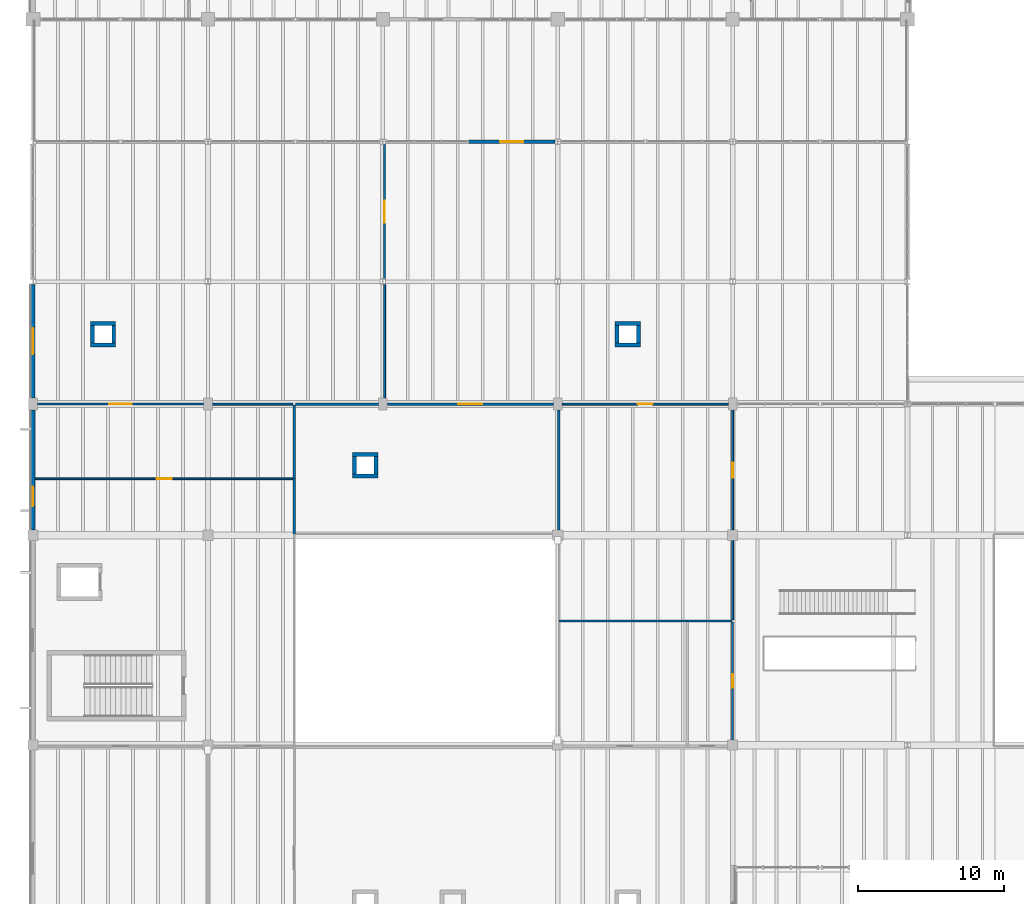
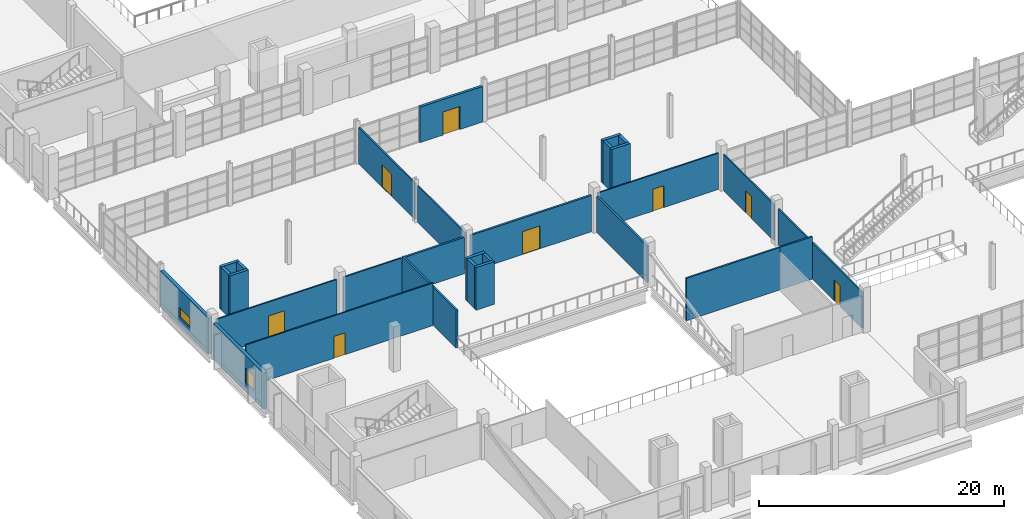
# One storey, part 89 of 114: 31 walls, 8 doors, 2 windows, 10 openings.
"""IFC4 building model written with IfcOpenShell, lengths in metres."""

from ifc_helpers import new_model, si_unit, direction, frame, frame_2d, origin, place, context, subcontext, project, spatial, rectangle, extrude, material, layer, layer_set, type_object, element, fill, save


model = new_model("IFC4")

# Units and contexts
model_context = context("Model", 3, precision=1e-05, world=origin(), true_north=direction((0.0, 1.0)))
body_context = subcontext(model_context, "Body", "Model", "MODEL_VIEW")
ifc_project = project(units=[si_unit("LENGTHUNIT", "METRE"), si_unit("AREAUNIT", "SQUARE_METRE"), si_unit("VOLUMEUNIT", "CUBIC_METRE"), si_unit("PLANEANGLEUNIT", "RADIAN"), si_unit("MASSUNIT", "GRAM", prefix="KILO")], contexts=[model_context])

# Site, building, storey
site_placement = place(None, origin())
site = spatial("IfcSite", under=ifc_project, at=site_placement, CompositionType="ELEMENT")
building_placement = place(site_placement, origin())
building = spatial("IfcBuilding", under=site, at=building_placement, Name="Kelmvaro Bay Concert Hall", CompositionType="ELEMENT")
storey_placement = place(building_placement, frame((0.0, 0.0, 4.800048828125)))
storey = spatial("IfcBuildingStorey", under=building, at=storey_placement, Name="L01", CompositionType="ELEMENT", Elevation=4.800048828125)

# Wall, opening, door
ifc_material_1 = material(Name="Acoustic Gypsum Board on Galvanised Steel Studs", Category="steel")
ifc_layer_1 = layer(ifc_material_1, 0.1298828125)
ifc_layer_set_1 = layer_set([ifc_layer_1], Name="Acoustic Gypsum Board on Galvanised Steel Studs")
wall_type_1 = type_object("IfcWallType", Name="Classroom Acoustic Partition 130", PredefinedType="PARTITIONING", material=ifc_layer_set_1)
wall_1_placement = place(storey_placement, frame((0.159912109375, 33.8798828125, 0.0), z_axis=(0.0, 0.0, 1.0), x_axis=(1.0, 0.0, 0.0)))
wall_1 = element("IfcWall", 1, at=wall_1_placement, inside=storey, type_object=wall_type_1, Name="L01 Interior Partition PT-L01-0166", PredefinedType="PARTITIONING", context=body_context, shape_type="SweptSolid", body=[
    extrude(rectangle(XDim=17.66015625, YDim=0.1298828125, at=frame_2d((8.830078125, 0.0))), origin(), (0.0, 0.0, 1.0), 4.22998046875),
])
opening_1_placement = place(wall_1_placement, frame((8.31494140625, 0.0, 0.0)))
opening_1 = element("IfcOpeningElement", 2, at=opening_1_placement, cuts=wall_1, Name="Opening ID-ED1", PredefinedType="OPENING", context=body_context, shape_type="SweptSolid", body=[
    extrude(rectangle(XDim=1.030029296875, YDim=2.179931640625, at=frame_2d((0.51513671875, 1.08984375))), frame((0.0, 0.074951171875, 0.0), z_axis=(0.0, -1.0, 0.0), x_axis=(1.0, 0.0, 0.0)), (0.0, 0.0, 1.0), 0.14990234375),
])
ifc_material_2 = material(Name="Oak Veneer and Acoustic Glass", Category="glass")
door_type_1 = type_object("IfcDoorType", Name="Classroom Vision-Lite Door 1030x2180", OperationType="NOTDEFINED", PredefinedType="DOOR", material=ifc_material_2)
door_1_placement = place(opening_1_placement, origin())
door_1 = element("IfcDoor", 3, at=door_1_placement, inside=storey, type_object=door_type_1, Name="L01 Interior Door DR-INT-L01-0102", OperationType="SINGLE_SWING_RIGHT", OverallHeight=2.179931640625, OverallWidth=1.030029296875, PredefinedType="DOOR", context=body_context, shape_type="SweptSolid", body=[
    extrude(rectangle(XDim=1.030029296875, YDim=2.179931640625, at=frame_2d((0.51513671875, 1.08984375))), frame((0.0, 0.02490234375, 0.0), z_axis=(0.0, -1.0, 0.0), x_axis=(1.0, 0.0, 0.0)), (0.0, 0.0, 1.0), 0.050048828125),
])
fill(opening_1, door_1)

wall_2_placement = place(storey_placement, frame((0.30810546875, 39.0, 0.0), z_axis=(0.0, 0.0, 1.0), x_axis=(1.0, 0.0, 0.0)))
wall_2 = element("IfcWall", 4, at=wall_2_placement, inside=storey, type_object=wall_type_1, Name="L01 Interior Partition PT-L01-0168", PredefinedType="PARTITIONING", context=body_context, shape_type="SweptSolid", body=[
    extrude(rectangle(XDim=11.3837890625, YDim=0.1298828125, at=frame_2d((5.69189453125, 0.0))), origin(), (0.0, 0.0, 1.0), 3.623046875),
])
opening_2_placement = place(wall_2_placement, frame((4.931884765625, 0.0, 0.0)))
opening_2 = element("IfcOpeningElement", 5, at=opening_2_placement, cuts=wall_2, Name="Opening ID-ED2", PredefinedType="OPENING", context=body_context, shape_type="SweptSolid", body=[
    extrude(rectangle(XDim=1.52001953125, YDim=2.239990234375, at=frame_2d((0.760009765625, 1.1201171875))), frame((0.0, 0.074951171875, 0.0), z_axis=(0.0, -1.0, 0.0), x_axis=(1.0, 0.0, 0.0)), (0.0, 0.0, 1.0), 0.14990234375),
])
ifc_material_3 = material(Name="Oak Veneer and Acoustic Glass", Category="glass")
door_type_2 = type_object("IfcDoorType", Name="Archive Library Double Door 1520x2240", OperationType="NOTDEFINED", PredefinedType="DOOR", material=ifc_material_3)
door_2_placement = place(opening_2_placement, origin())
door_2 = element("IfcDoor", 6, at=door_2_placement, inside=storey, type_object=door_type_2, Name="L01 Interior Door DR-INT-L01-0103", OperationType="DOUBLE_DOOR_SINGLE_SWING", OverallHeight=2.239990234375, OverallWidth=1.52001953125, PredefinedType="DOOR", context=body_context, shape_type="SweptSolid", body=[
    extrude(rectangle(XDim=1.52001953125, YDim=2.239990234375, at=frame_2d((0.760009765625, 1.1201171875))), frame((0.0, 0.02490234375, 0.0), z_axis=(0.0, -1.0, 0.0), x_axis=(1.0, 0.0, 0.0)), (0.0, 0.0, 1.0), 0.050048828125),
])
fill(opening_2, door_2)

# Walls
wall_3_placement = place(storey_placement, frame((12.30810546875, 39.0, 0.0), z_axis=(0.0, 0.0, 1.0), x_axis=(1.0, 0.0, 0.0)))
element("IfcWall", 7, at=wall_3_placement, inside=storey, type_object=wall_type_1, Name="L01 Interior Partition PT-L01-0169", PredefinedType="PARTITIONING", context=body_context, shape_type="SweptSolid", body=[
    extrude(rectangle(XDim=5.511962890625, YDim=0.1298828125, at=frame_2d((2.755859375, 0.0))), origin(), (0.0, 0.0, 1.0), 3.623046875),
])
wall_4_placement = place(storey_placement, frame((48.0, 24.205078125, 0.0), z_axis=(0.0, 0.0, 1.0), x_axis=(0.0, 1.0, 0.0)))
element("IfcWall", 8, at=wall_4_placement, inside=storey, type_object=wall_type_1, Name="L01 Interior Partition PT-L01-0172", PredefinedType="PARTITIONING", context=body_context, shape_type="SweptSolid", body=[
    extrude(rectangle(XDim=5.43701171875, YDim=0.1298828125, at=frame_2d((2.718505859375, 0.0))), origin(), (0.0, 0.0, 1.0), 3.618896484375),
])

# Wall, opening, door
wall_5_placement = place(storey_placement, frame((48.0, 30.35791015625, 0.0), z_axis=(0.0, 0.0, 1.0), x_axis=(0.0, 1.0, 0.0)))
wall_5 = element("IfcWall", 9, at=wall_5_placement, inside=storey, type_object=wall_type_1, Name="L01 Interior Partition PT-L01-0173", PredefinedType="PARTITIONING", context=body_context, shape_type="SweptSolid", body=[
    extrude(rectangle(XDim=8.234130859375, YDim=0.1298828125, at=frame_2d((4.1171875, 0.0))), origin(), (0.0, 0.0, 1.0), 3.618896484375),
])
opening_3_placement = place(wall_5_placement, frame((3.60205078125, 0.0, 0.0)))
opening_3 = element("IfcOpeningElement", 10, at=opening_3_placement, cuts=wall_5, Name="Opening ID-ED1", PredefinedType="OPENING", context=body_context, shape_type="SweptSolid", body=[
    extrude(rectangle(XDim=1.030029296875, YDim=2.179931640625, at=frame_2d((0.51513671875, 1.08984375))), frame((0.0, 0.074951171875, 0.0), z_axis=(0.0, -1.0, 0.0), x_axis=(1.0, 0.0, 0.0)), (0.0, 0.0, 1.0), 0.14990234375),
])
door_3_placement = place(opening_3_placement, origin())
door_3 = element("IfcDoor", 11, at=door_3_placement, inside=storey, type_object=door_type_1, Name="L01 Interior Door DR-INT-L01-0104", OperationType="SINGLE_SWING_RIGHT", OverallHeight=2.179931640625, OverallWidth=1.030029296875, PredefinedType="DOOR", context=body_context, shape_type="SweptSolid", body=[
    extrude(rectangle(XDim=1.030029296875, YDim=2.179931640625, at=frame_2d((0.51513671875, 1.08984375))), frame((0.0, 0.02490234375, 0.0), z_axis=(0.0, -1.0, 0.0), x_axis=(1.0, 0.0, 0.0)), (0.0, 0.0, 1.0), 0.050048828125),
])
fill(opening_3, door_3)

wall_6_placement = place(storey_placement, frame((36.30810546875, 39.0, 0.0), z_axis=(0.0, 0.0, 1.0), x_axis=(1.0, 0.0, 0.0)))
wall_6 = element("IfcWall", 12, at=wall_6_placement, inside=storey, type_object=wall_type_1, Name="L01 Interior Partition PT-L01-0174", PredefinedType="PARTITIONING", context=body_context, shape_type="SweptSolid", body=[
    extrude(rectangle(XDim=11.3837890625, YDim=0.1298828125, at=frame_2d((5.69189453125, 0.0))), origin(), (0.0, 0.0, 1.0), 3.623046875),
])
opening_4_placement = place(wall_6_placement, frame((5.177001953125, 0.0, 0.0)))
opening_4 = element("IfcOpeningElement", 13, at=opening_4_placement, cuts=wall_6, Name="Opening ID-ED1", PredefinedType="OPENING", context=body_context, shape_type="SweptSolid", body=[
    extrude(rectangle(XDim=1.030029296875, YDim=2.179931640625, at=frame_2d((0.51513671875, 1.08984375))), frame((0.0, 0.074951171875, 0.0), z_axis=(0.0, -1.0, 0.0), x_axis=(1.0, 0.0, 0.0)), (0.0, 0.0, 1.0), 0.14990234375),
])
door_4_placement = place(opening_4_placement, origin())
door_4 = element("IfcDoor", 14, at=door_4_placement, inside=storey, type_object=door_type_1, Name="L01 Interior Door DR-INT-L01-0105", OperationType="SINGLE_SWING_LEFT", OverallHeight=2.179931640625, OverallWidth=1.030029296875, PredefinedType="DOOR", context=body_context, shape_type="SweptSolid", body=[
    extrude(rectangle(XDim=1.030029296875, YDim=2.179931640625, at=frame_2d((0.51513671875, 1.08984375))), frame((0.0, 0.02490234375, 0.0), z_axis=(0.0, -1.0, 0.0), x_axis=(1.0, 0.0, 0.0)), (0.0, 0.0, 1.0), 0.050048828125),
])
fill(opening_4, door_4)

# Wall
wall_7_placement = place(storey_placement, frame((24.1201171875, 39.407958984375, 0.0), z_axis=(0.0, 0.0, 1.0), x_axis=(0.0, 1.0, 0.0)))
element("IfcWall", 15, at=wall_7_placement, inside=storey, type_object=wall_type_1, Name="L01 Interior Partition PT-L01-0203", PredefinedType="PARTITIONING", context=body_context, shape_type="SweptSolid", body=[
    extrude(rectangle(XDim=7.797607421875, YDim=0.1298828125, at=frame_2d((3.89892578125, 0.0))), origin(), (0.0, 0.0, 1.0), 3.6279296875),
])

# Wall, opening, door
wall_8_placement = place(storey_placement, frame((24.1201171875, 47.594482421875, 0.0), z_axis=(0.0, 0.0, 1.0), x_axis=(0.0, 1.0, 0.0)))
wall_8 = element("IfcWall", 16, at=wall_8_placement, inside=storey, type_object=wall_type_1, Name="L01 Interior Partition PT-L01-0204", PredefinedType="PARTITIONING", context=body_context, shape_type="SweptSolid", body=[
    extrude(rectangle(XDim=9.2109375, YDim=0.1298828125, at=frame_2d((4.60546875, 0.0))), origin(), (0.0, 0.0, 1.0), 3.62890625),
])
opening_5_placement = place(wall_8_placement, frame((3.845458984375, 0.0, 0.0)))
opening_5 = element("IfcOpeningElement", 17, at=opening_5_placement, cuts=wall_8, Name="Opening ID-ED2", PredefinedType="OPENING", context=body_context, shape_type="SweptSolid", body=[
    extrude(rectangle(XDim=1.52001953125, YDim=2.239990234375, at=frame_2d((0.760009765625, 1.1201171875))), frame((0.0, 0.074951171875, 0.0), z_axis=(0.0, -1.0, 0.0), x_axis=(1.0, 0.0, 0.0)), (0.0, 0.0, 1.0), 0.14990234375),
])
door_5_placement = place(opening_5_placement, origin())
door_5 = element("IfcDoor", 18, at=door_5_placement, inside=storey, type_object=door_type_2, Name="L01 Interior Door DR-INT-L01-0123", OperationType="DOUBLE_DOOR_SINGLE_SWING", OverallHeight=2.239990234375, OverallWidth=1.52001953125, PredefinedType="DOOR", context=body_context, shape_type="SweptSolid", body=[
    extrude(rectangle(XDim=1.52001953125, YDim=2.239990234375, at=frame_2d((0.760009765625, 1.1201171875))), frame((0.0, 0.02490234375, 0.0), z_axis=(0.0, -1.0, 0.0), x_axis=(1.0, 0.0, 0.0)), (0.0, 0.0, 1.0), 0.050048828125),
])
fill(opening_5, door_5)

# Wall, opening, window
ifc_material_4 = material(Name="Precast Concrete C40/50", Category="concrete")
ifc_layer_2 = layer(ifc_material_4, 0.300048828125)
ifc_layer_set_2 = layer_set([ifc_layer_2], Name="Precast Concrete C40/50")
wall_type_2 = type_object("IfcWallType", Name="Education Pavilion Precast Wall 300", PredefinedType="SOLIDWALL", material=ifc_layer_set_2)
wall_9_placement = place(storey_placement, frame((0.0, 30.35009765625, 0.0), z_axis=(0.0, 0.0, 1.0), x_axis=(0.0, 1.0, 0.0)))
wall_9 = element("IfcWall", 19, at=wall_9_placement, inside=storey, type_object=wall_type_2, Name="L01 Exterior Wall EW-L01-0177", PredefinedType="SOLIDWALL", context=body_context, shape_type="SweptSolid", body=[
    extrude(rectangle(XDim=8.25, YDim=0.300048828125, at=frame_2d((4.125, 0.0))), origin(), (0.0, 0.0, 1.0), 3.618896484375),
])
opening_6_placement = place(wall_9_placement, frame((1.635009765625, 0.0, 0.85009765625)))
opening_6 = element("IfcOpeningElement", 20, at=opening_6_placement, cuts=wall_9, Name="Opening WN-05", PredefinedType="OPENING", context=body_context, shape_type="SweptSolid", body=[
    extrude(rectangle(XDim=1.35009765625, YDim=1.5, at=frame_2d((0.675048828125, 0.75))), frame((0.0, 0.159912109375, 0.0), z_axis=(0.0, -1.0, 0.0), x_axis=(1.0, 0.0, 0.0)), (0.0, 0.0, 1.0), 0.320068359375),
])
ifc_material_5 = material(Name="Thermally Broken Aluminium and Acoustic Low-E Glass", Category="aluminium")
window_type_1 = type_object("IfcWindowType", Name="Dressing Suite Daylight Window 1350x1500", PartitioningType="SINGLE_PANEL", PredefinedType="WINDOW", material=ifc_material_5)
window_1_placement = place(opening_6_placement, origin())
window_1 = element("IfcWindow", 21, at=window_1_placement, inside=storey, type_object=window_type_1, Name="L01 Facade Window WN-L01-0086", OverallHeight=1.5, OverallWidth=1.35009765625, PartitioningType="SINGLE_PANEL", PredefinedType="WINDOW", context=body_context, shape_type="SweptSolid", body=[
    extrude(rectangle(XDim=1.35009765625, YDim=1.5, at=frame_2d((0.675048828125, 0.75))), frame((0.0, 0.030029296875, 0.0), z_axis=(0.0, -1.0, 0.0), x_axis=(1.0, 0.0, 0.0)), (0.0, 0.0, 1.0), 0.06005859375),
])
fill(opening_6, window_1)

wall_10_placement = place(storey_placement, frame((0.0, 39.39990234375, 0.0), z_axis=(0.0, 0.0, 1.0), x_axis=(0.0, 1.0, 0.0)))
wall_10 = element("IfcWall", 22, at=wall_10_placement, inside=storey, type_object=wall_type_2, Name="L01 Exterior Wall EW-L01-0281", PredefinedType="SOLIDWALL", context=body_context, shape_type="SweptSolid", body=[
    extrude(rectangle(XDim=7.8134765625, YDim=0.300048828125, at=frame_2d((3.90673828125, 0.0))), origin(), (0.0, 0.0, 1.0), 3.6279296875),
])
opening_7_placement = place(wall_10_placement, frame((3.0068359375, 0.0, 0.85009765625)))
opening_7 = element("IfcOpeningElement", 23, at=opening_7_placement, cuts=wall_10, Name="Opening WN-10", PredefinedType="OPENING", context=body_context, shape_type="SweptSolid", body=[
    extrude(rectangle(XDim=1.800048828125, YDim=0.949951171875, at=frame_2d((0.89990234375, 0.47509765625))), frame((0.0, 0.159912109375, 0.0), z_axis=(0.0, -1.0, 0.0), x_axis=(1.0, 0.0, 0.0)), (0.0, 0.0, 1.0), 0.320068359375),
])
ifc_material_6 = material(Name="Thermally Broken Aluminium and Acoustic Low-E Glass", Category="aluminium")
window_type_2 = type_object("IfcWindowType", Name="Archive Clerestory Window 1800x950", PartitioningType="SINGLE_PANEL", PredefinedType="WINDOW", material=ifc_material_6)
window_2_placement = place(opening_7_placement, origin())
window_2 = element("IfcWindow", 24, at=window_2_placement, inside=storey, type_object=window_type_2, Name="L01 Facade Window WN-L01-0143", OverallHeight=0.949951171875, OverallWidth=1.800048828125, PartitioningType="SINGLE_PANEL", PredefinedType="WINDOW", context=body_context, shape_type="SweptSolid", body=[
    extrude(rectangle(XDim=1.800048828125, YDim=0.949951171875, at=frame_2d((0.89990234375, 0.47509765625))), frame((0.0, 0.030029296875, 0.0), z_axis=(0.0, -1.0, 0.0), x_axis=(1.0, 0.0, 0.0)), (0.0, 0.0, 1.0), 0.06005859375),
])
fill(opening_7, window_2)

# Walls
ifc_material_7 = material(Name="Acoustic Gypsum Board on Galvanised Steel Studs", Category="steel")
ifc_layer_3 = layer(ifc_material_7, 0.179931640625)
ifc_layer_set_3 = layer_set([ifc_layer_3], Name="Acoustic Gypsum Board on Galvanised Steel Studs")
wall_type_3 = type_object("IfcWallType", Name="Rehearsal Suite Acoustic Partition 180", PredefinedType="PARTITIONING", material=ifc_layer_set_3)
wall_11_placement = place(storey_placement, frame((17.919921875, 30.074951171875, 0.0), z_axis=(0.0, 0.0, 1.0), x_axis=(0.0, 1.0, 0.0)))
element("IfcWall", 25, at=wall_11_placement, inside=storey, type_object=wall_type_3, Name="L01 Interior Partition PT-L01-0159", PredefinedType="PARTITIONING", context=body_context, shape_type="SweptSolid", body=[
    extrude(rectangle(XDim=3.81005859375, YDim=0.179931640625, at=frame_2d((1.905029296875, 0.0))), origin(), (0.0, 0.0, 1.0), 3.77294921875),
])
wall_12_placement = place(storey_placement, frame((17.919921875, 33.875, 0.0), z_axis=(0.0, 0.0, 1.0), x_axis=(0.0, 1.0, 0.0)))
element("IfcWall", 26, at=wall_12_placement, inside=storey, type_object=wall_type_3, Name="L01 Interior Partition PT-L01-0160", PredefinedType="PARTITIONING", context=body_context, shape_type="SweptSolid", body=[
    extrude(rectangle(XDim=5.074951171875, YDim=0.179931640625, at=frame_2d((2.53759765625, 0.0))), origin(), (0.0, 0.0, 1.0), 3.77294921875),
])
wall_13_placement = place(storey_placement, frame((36.080078125, 30.35791015625, 0.0), z_axis=(0.0, 0.0, 1.0), x_axis=(0.0, 1.0, 0.0)))
element("IfcWall", 27, at=wall_13_placement, inside=storey, type_object=wall_type_3, Name="L01 Interior Partition PT-L01-0161", PredefinedType="PARTITIONING", context=body_context, shape_type="SweptSolid", body=[
    extrude(rectangle(XDim=8.234130859375, YDim=0.179931640625, at=frame_2d((4.1171875, 0.0))), origin(), (0.0, 0.0, 1.0), 3.618896484375),
])

# Wall, opening, door
wall_14_placement = place(storey_placement, frame((24.30810546875, 39.0, 0.0), z_axis=(0.0, 0.0, 1.0), x_axis=(1.0, 0.0, 0.0)))
wall_14 = element("IfcWall", 28, at=wall_14_placement, inside=storey, type_object=wall_type_3, Name="L01 Interior Partition PT-L01-0162", PredefinedType="PARTITIONING", context=body_context, shape_type="SweptSolid", body=[
    extrude(rectangle(XDim=11.3837890625, YDim=0.179931640625, at=frame_2d((5.69189453125, 0.0))), origin(), (0.0, 0.0, 1.0), 3.623046875),
])
opening_8_placement = place(wall_14_placement, frame((4.882080078125, 0.0, 0.0)))
opening_8 = element("IfcOpeningElement", 29, at=opening_8_placement, cuts=wall_14, Name="Opening ID-AC3", PredefinedType="OPENING", context=body_context, shape_type="SweptSolid", body=[
    extrude(rectangle(XDim=1.6201171875, YDim=2.280029296875, at=frame_2d((0.81005859375, 1.14013671875))), frame((0.0, 0.099853515625, 0.0), z_axis=(0.0, -1.0, 0.0), x_axis=(1.0, 0.0, 0.0)), (0.0, 0.0, 1.0), 0.199951171875),
])
ifc_material_8 = material(Name="Solid White Oak Acoustic Leaf")
door_type_3 = type_object("IfcDoorType", Name="Choral Studio Acoustic Pair Door 1620x2280", OperationType="NOTDEFINED", PredefinedType="DOOR", material=ifc_material_8)
door_6_placement = place(opening_8_placement, origin())
door_6 = element("IfcDoor", 30, at=door_6_placement, inside=storey, type_object=door_type_3, Name="L01 Interior Door DR-INT-L01-0099", OperationType="DOUBLE_DOOR_SINGLE_SWING", OverallHeight=2.280029296875, OverallWidth=1.6201171875, PredefinedType="DOOR", context=body_context, shape_type="SweptSolid", body=[
    extrude(rectangle(XDim=1.6201171875, YDim=2.280029296875, at=frame_2d((0.81005859375, 1.14013671875))), frame((0.0, 0.02490234375, 0.0), z_axis=(0.0, -1.0, 0.0), x_axis=(1.0, 0.0, 0.0)), (0.0, 0.0, 1.0), 0.050048828125),
])
fill(opening_8, door_6)

# Walls
wall_15_placement = place(storey_placement, frame((18.02001953125, 39.0, 0.0), z_axis=(0.0, 0.0, 1.0), x_axis=(1.0, 0.0, 0.0)))
element("IfcWall", 31, at=wall_15_placement, inside=storey, type_object=wall_type_3, Name="L01 Interior Partition PT-L01-0163", PredefinedType="PARTITIONING", context=body_context, shape_type="SweptSolid", body=[
    extrude(rectangle(XDim=5.671875, YDim=0.179931640625, at=frame_2d((2.8359375, 0.0))), origin(), (0.0, 0.0, 1.0), 3.623046875),
])
ifc_material_9 = material(Name="Concrete C40/50", Category="concrete")
ifc_layer_4 = layer(ifc_material_9, 0.27001953125)
ifc_layer_set_4 = layer_set([ifc_layer_4], Name="Concrete C40/50")
wall_type_4 = type_object("IfcWallType", Name="Secondary Shaft Shear Wall 270", PredefinedType="SHEAR", material=ifc_layer_set_4)
for number, where, z_axis, x_axis, name in (
    (32, (21.929931640625, 34.06494140625, 0.0), (0.0, 0.0, 1.0), (1.0, 0.0, 0.0), "L01 Service Riser Shaft Wall 073-S"),
    (33, (21.929931640625, 35.534912109375, 0.0), (0.0, 0.0, 1.0), (1.0, 0.0, 0.0), "L01 Service Riser Shaft Wall 074-N"),
):
    element("IfcWall", number, at=place(storey_placement, frame(where, z_axis=z_axis, x_axis=x_axis)), inside=storey, type_object=wall_type_4, Name=name, PredefinedType="SHEAR", context=body_context, shape_type="SweptSolid", body=[
        extrude(rectangle(XDim=1.739990234375, YDim=0.27001953125, at=frame_2d((0.8701171875, 0.0))), origin(), (0.0, 0.0, 1.0), 4.25),
    ])
for number, where, z_axis, x_axis, name in (
    (34, (22.06494140625, 34.199951171875, 0.0), (0.0, 0.0, 1.0), (0.0, 1.0, 0.0), "L01 Service Riser Shaft Wall 075-W"),
    (35, (23.534912109375, 34.199951171875, 0.0), (0.0, 0.0, 1.0), (0.0, 1.0, 0.0), "L01 Service Riser Shaft Wall 076-E"),
):
    element("IfcWall", number, at=place(storey_placement, frame(where, z_axis=z_axis, x_axis=x_axis)), inside=storey, type_object=wall_type_4, Name=name, PredefinedType="SHEAR", context=body_context, shape_type="SweptSolid", body=[
        extrude(rectangle(XDim=1.199951171875, YDim=0.27001953125, at=frame_2d((0.60009765625, 0.0))), origin(), (0.0, 0.0, 1.0), 4.25),
    ])
for number, where, z_axis, x_axis, name in (
    (36, (3.929931640625, 43.06494140625, 0.0), (0.0, 0.0, 1.0), (1.0, 0.0, 0.0), "L01 Service Riser Shaft Wall 097-S"),
    (37, (3.929931640625, 44.534912109375, 0.0), (0.0, 0.0, 1.0), (1.0, 0.0, 0.0), "L01 Service Riser Shaft Wall 098-N"),
):
    element("IfcWall", number, at=place(storey_placement, frame(where, z_axis=z_axis, x_axis=x_axis)), inside=storey, type_object=wall_type_4, Name=name, PredefinedType="SHEAR", context=body_context, shape_type="SweptSolid", body=[
        extrude(rectangle(XDim=1.739990234375, YDim=0.27001953125, at=frame_2d((0.8701171875, 0.0))), origin(), (0.0, 0.0, 1.0), 4.260009765625),
    ])
for number, where, z_axis, x_axis, name in (
    (38, (4.06494140625, 43.199951171875, 0.0), (0.0, 0.0, 1.0), (0.0, 1.0, 0.0), "L01 Service Riser Shaft Wall 099-W"),
    (39, (5.534912109375, 43.199951171875, 0.0), (0.0, 0.0, 1.0), (0.0, 1.0, 0.0), "L01 Service Riser Shaft Wall 100-E"),
):
    element("IfcWall", number, at=place(storey_placement, frame(where, z_axis=z_axis, x_axis=x_axis)), inside=storey, type_object=wall_type_4, Name=name, PredefinedType="SHEAR", context=body_context, shape_type="SweptSolid", body=[
        extrude(rectangle(XDim=1.199951171875, YDim=0.27001953125, at=frame_2d((0.60009765625, 0.0))), origin(), (0.0, 0.0, 1.0), 4.260009765625),
    ])
for number, where, z_axis, x_axis, name in (
    (40, (39.929931640625, 43.06494140625, 0.0), (0.0, 0.0, 1.0), (1.0, 0.0, 0.0), "L01 Service Riser Shaft Wall 101-S"),
    (41, (39.929931640625, 44.534912109375, 0.0), (0.0, 0.0, 1.0), (1.0, 0.0, 0.0), "L01 Service Riser Shaft Wall 102-N"),
):
    element("IfcWall", number, at=place(storey_placement, frame(where, z_axis=z_axis, x_axis=x_axis)), inside=storey, type_object=wall_type_4, Name=name, PredefinedType="SHEAR", context=body_context, shape_type="SweptSolid", body=[
        extrude(rectangle(XDim=1.739990234375, YDim=0.27001953125, at=frame_2d((0.8701171875, 0.0))), origin(), (0.0, 0.0, 1.0), 4.260009765625),
    ])
for number, where, z_axis, x_axis, name in (
    (42, (40.06494140625, 43.199951171875, 0.0), (0.0, 0.0, 1.0), (0.0, 1.0, 0.0), "L01 Service Riser Shaft Wall 103-W"),
    (43, (41.534912109375, 43.199951171875, 0.0), (0.0, 0.0, 1.0), (0.0, 1.0, 0.0), "L01 Service Riser Shaft Wall 104-E"),
):
    element("IfcWall", number, at=place(storey_placement, frame(where, z_axis=z_axis, x_axis=x_axis)), inside=storey, type_object=wall_type_4, Name=name, PredefinedType="SHEAR", context=body_context, shape_type="SweptSolid", body=[
        extrude(rectangle(XDim=1.199951171875, YDim=0.27001953125, at=frame_2d((0.60009765625, 0.0))), origin(), (0.0, 0.0, 1.0), 4.260009765625),
    ])

# Wall, opening, door
ifc_material_10 = material(Name="Precast Concrete C40/50", Category="concrete")
ifc_layer_5 = layer(ifc_material_10, 0.239990234375)
ifc_layer_set_5 = layer_set([ifc_layer_5], Name="Precast Concrete C40/50")
wall_type_5 = type_object("IfcWallType", Name="Terrace Vestibule Exterior Wall 240", PredefinedType="SOLIDWALL", material=ifc_layer_set_5)
wall_16_placement = place(storey_placement, frame((29.8798828125, 57.0, 0.0), z_axis=(0.0, 0.0, 1.0), x_axis=(1.0, 0.0, 0.0)))
wall_16 = element("IfcWall", 44, at=wall_16_placement, inside=storey, type_object=wall_type_5, Name="L01 Exterior Wall EW-L01-0282", PredefinedType="SOLIDWALL", context=body_context, shape_type="SweptSolid", body=[
    extrude(rectangle(XDim=5.93359375, YDim=0.239990234375, at=frame_2d((2.966796875, 0.0))), origin(), (0.0, 0.0, 1.0), 3.546875),
])
opening_9_placement = place(wall_16_placement, frame((2.166748046875, 0.0, 0.0)))
opening_9 = element("IfcOpeningElement", 45, at=opening_9_placement, cuts=wall_16, Name="Opening ED-160", PredefinedType="OPENING", context=body_context, shape_type="SweptSolid", body=[
    extrude(rectangle(XDim=1.60009765625, YDim=2.300048828125, at=frame_2d((0.800048828125, 1.14990234375))), frame((0.0, 0.1298828125, 0.0), z_axis=(0.0, -1.0, 0.0), x_axis=(1.0, 0.0, 0.0)), (0.0, 0.0, 1.0), 0.260009765625),
])
ifc_material_11 = material(Name="Thermally Broken Aluminium and Laminated Safety Glass", Category="aluminium")
door_type_4 = type_object("IfcDoorType", Name="Terrace Promenade Double Glazed Door 1600x2300", OperationType="NOTDEFINED", PredefinedType="DOOR", material=ifc_material_11)
door_7_placement = place(opening_9_placement, origin())
door_7 = element("IfcDoor", 46, at=door_7_placement, inside=storey, type_object=door_type_4, Name="L01 Exterior Door DR-EXT-L01-036", OperationType="DOUBLE_DOOR_SINGLE_SWING", OverallHeight=2.300048828125, OverallWidth=1.60009765625, PredefinedType="DOOR", context=body_context, shape_type="SweptSolid", body=[
    extrude(rectangle(XDim=1.60009765625, YDim=2.300048828125, at=frame_2d((0.800048828125, 1.14990234375))), frame((0.0, 0.02490234375, 0.0), z_axis=(0.0, -1.0, 0.0), x_axis=(1.0, 0.0, 0.0)), (0.0, 0.0, 1.0), 0.050048828125),
])
fill(opening_9, door_7)

# Walls
ifc_material_12 = material(Name="Acoustic Gypsum Board on Galvanised Steel Studs", Category="steel")
ifc_layer_6 = layer(ifc_material_12, 0.14990234375)
ifc_layer_set_6 = layer_set([ifc_layer_6], Name="Acoustic Gypsum Board on Galvanised Steel Studs")
wall_type_6 = type_object("IfcWallType", Name="Wet Area Moisture-Resistant Partition 150", PredefinedType="PARTITIONING", material=ifc_layer_set_6)
wall_17_placement = place(storey_placement, frame((36.074951171875, 24.1201171875, 0.0), z_axis=(0.0, 0.0, 1.0), x_axis=(1.0, 0.0, 0.0)))
element("IfcWall", 47, at=wall_17_placement, inside=storey, type_object=wall_type_6, Name="L01 Interior Partition PT-L01-0170", PredefinedType="PARTITIONING", context=body_context, shape_type="SweptSolid", body=[
    extrude(rectangle(XDim=8.81005859375, YDim=0.14990234375, at=frame_2d((4.405029296875, 0.0))), origin(), (0.0, 0.0, 1.0), 4.22998046875),
])
wall_18_placement = place(storey_placement, frame((44.875, 24.1201171875, 0.0), z_axis=(0.0, 0.0, 1.0), x_axis=(1.0, 0.0, 0.0)))
element("IfcWall", 48, at=wall_18_placement, inside=storey, type_object=wall_type_6, Name="L01 Interior Partition PT-L01-0171", PredefinedType="PARTITIONING", context=body_context, shape_type="SweptSolid", body=[
    extrude(rectangle(XDim=3.074951171875, YDim=0.14990234375, at=frame_2d((1.53759765625, 0.0))), origin(), (0.0, 0.0, 1.0), 4.22998046875),
])

# Wall, opening, door
wall_19_placement = place(storey_placement, frame((48.0, 15.9580078125, 0.0), z_axis=(0.0, 0.0, 1.0), x_axis=(0.0, 1.0, 0.0)))
wall_19 = element("IfcWall", 49, at=wall_19_placement, inside=storey, type_object=wall_type_6, Name="L01 Interior Partition PT-L01-0176", PredefinedType="PARTITIONING", context=body_context, shape_type="SweptSolid", body=[
    extrude(rectangle(XDim=8.076904296875, YDim=0.14990234375, at=frame_2d((4.03857421875, 0.0))), origin(), (0.0, 0.0, 1.0), 3.618896484375),
])
opening_10_placement = place(wall_19_placement, frame((3.568603515625, 0.0, 0.0)))
opening_10 = element("IfcOpeningElement", 50, at=opening_10_placement, cuts=wall_19, Name="Opening ID-WC1", PredefinedType="OPENING", context=body_context, shape_type="SweptSolid", body=[
    extrude(rectangle(XDim=0.93994140625, YDim=2.10009765625, at=frame_2d((0.469970703125, 1.050048828125))), frame((0.0, 0.0849609375, 0.0), z_axis=(0.0, -1.0, 0.0), x_axis=(1.0, 0.0, 0.0)), (0.0, 0.0, 1.0), 0.169921875),
])
ifc_material_13 = material(Name="High-Pressure Laminate Core")
door_type_5 = type_object("IfcDoorType", Name="Accessible Restroom Door 940x2100", OperationType="NOTDEFINED", PredefinedType="DOOR", material=ifc_material_13)
door_8_placement = place(opening_10_placement, origin())
door_8 = element("IfcDoor", 51, at=door_8_placement, inside=storey, type_object=door_type_5, Name="L01 Interior Door DR-INT-L01-0106", OperationType="SINGLE_SWING_RIGHT", OverallHeight=2.10009765625, OverallWidth=0.93994140625, PredefinedType="DOOR", context=body_context, shape_type="SweptSolid", body=[
    extrude(rectangle(XDim=0.93994140625, YDim=2.10009765625, at=frame_2d((0.469970703125, 1.050048828125))), frame((0.0, 0.02490234375, 0.0), z_axis=(0.0, -1.0, 0.0), x_axis=(1.0, 0.0, 0.0)), (0.0, 0.0, 1.0), 0.050048828125),
])
fill(opening_10, door_8)

save(model, "model.ifc")
